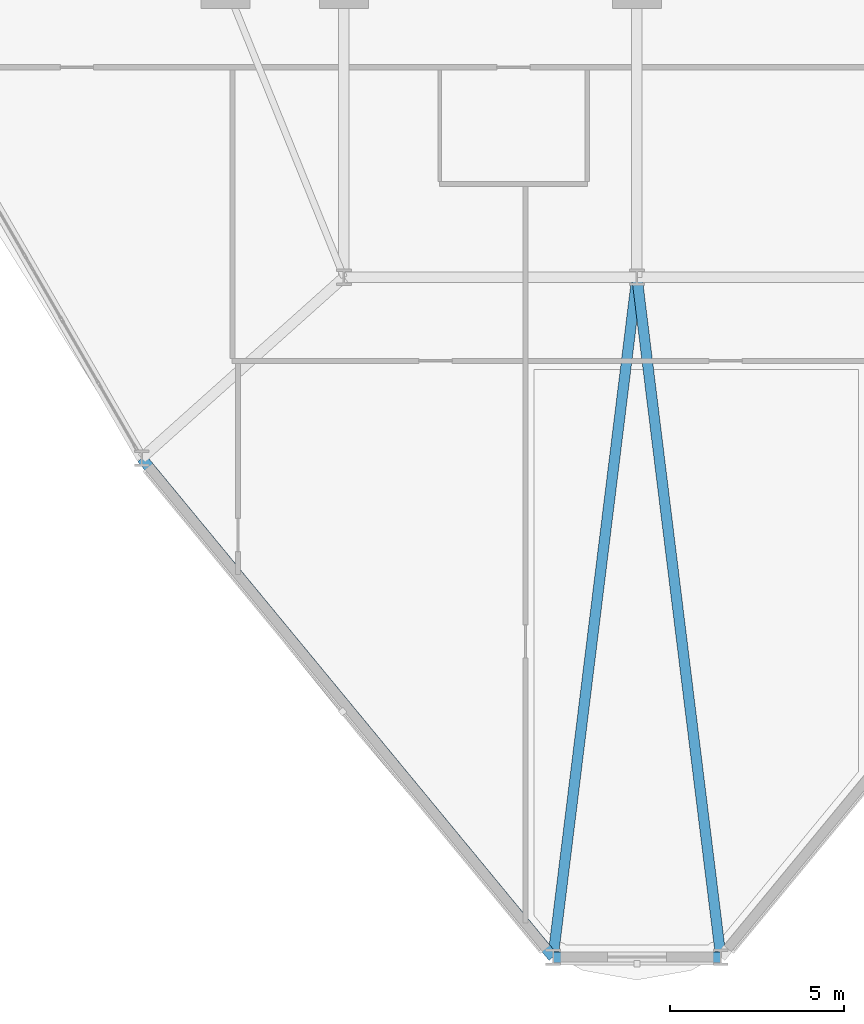
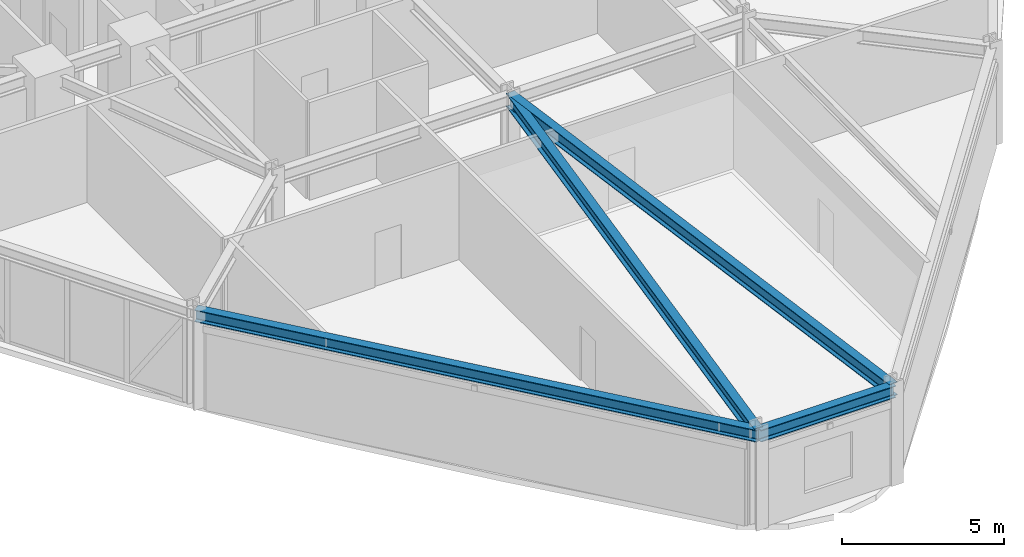
# One storey, part 3 of 22: 4 beams.
"""IFC4 building model written with IfcOpenShell, lengths in metres."""

from ifc_helpers import new_model, si_unit, derived_unit, direction, frame, origin, origin_2d, place, context, subcontext, project, spatial, i_section, extrude, source, transform, mapped, material, material_profile, profile_set, type_object, element, save


model = new_model("IFC4")

# Units and contexts
model_context = context("Model", 3, precision=1e-05, world=origin(), true_north=direction((0.0, 1.0)))
body_context = subcontext(model_context, "Body", "Model", "MODEL_VIEW")
ifc_project = project(units=[si_unit("LENGTHUNIT", "METRE"), si_unit("AREAUNIT", "SQUARE_METRE"), si_unit("VOLUMEUNIT", "CUBIC_METRE"), si_unit("PLANEANGLEUNIT", "RADIAN"), si_unit("MASSUNIT", "GRAM", prefix="KILO"), derived_unit("THERMALTRANSMITTANCEUNIT", [(si_unit("POWERUNIT", "WATT"), 1), (si_unit("LENGTHUNIT", "METRE"), -2), (si_unit("THERMODYNAMICTEMPERATUREUNIT", "KELVIN"), -1)])], contexts=[model_context])

# Site, building, storey
site_placement = place(None, origin())
site = spatial("IfcSite", under=ifc_project, at=site_placement, CompositionType="ELEMENT")
building_placement = place(site_placement, origin())
building = spatial("IfcBuilding", under=site, at=building_placement, Name="Korsvarv Bourse and Concert Hall", CompositionType="ELEMENT")
storey_placement = place(building_placement, frame((0.0, 0.0, 47.39990234375)))
storey = spatial("IfcBuildingStorey", under=building, at=storey_placement, Name="L11", CompositionType="ELEMENT", Elevation=47.39990234375)

# Beams
ifc_material = material(Name="Steel S355", Category="steel")
ifc_material_profile_1 = material_profile(ifc_material, i_section(OverallWidth=0.300048828125, OverallDepth=0.449951171875, WebThickness=0.013916015625, FlangeThickness=0.02587890625, FilletRadius=0.02099609375, at=origin_2d()), Name="HEB 450")
ifc_profile_set_1 = profile_set([ifc_material_profile_1], Name="Steel S355")
beam_type_1 = type_object("IfcBeamType", Name="BM-HEB450", PredefinedType="SPANDREL", material=ifc_profile_set_1)
shared_shape_1 = source(origin(), body_context, "Body", "SweptSolid", [
    extrude(i_section(OverallWidth=0.300048828125, OverallDepth=0.449951171875, WebThickness=0.013916015625, FlangeThickness=0.02587890625, FilletRadius=0.02099609375, at=origin_2d()), origin(), (0.0, 0.0, 1.0), 18.5390625),
])
beam_1_placement = place(storey_placement, frame((21.801513671875, 18.8134765625, 3.455078125), z_axis=(0.636127669923, -0.771583817585, 0.0), x_axis=(0.771583817585, 0.636127669923, 0.0)))
element("IfcBeam", 1, at=beam_1_placement, inside=storey, type_object=beam_type_1, Name="L11 beam B-08", PredefinedType="SPANDREL", context=body_context, shape_type="MappedRepresentation", body=[
    mapped(shared_shape_1, transform((0.0, 0.0, 0.0), scale=1.0)),
])
shared_shape_2 = source(origin(), body_context, "Body", "SweptSolid", [
    extrude(i_section(OverallWidth=0.300048828125, OverallDepth=0.449951171875, WebThickness=0.013916015625, FlangeThickness=0.02587890625, FilletRadius=0.02099609375, at=origin_2d()), origin(), (0.0, 0.0, 1.0), 4.810546875),
])
beam_2_placement = place(storey_placement, frame((33.5947265625, 4.509033203125, 3.455078125), z_axis=(1.0, 0.0, 0.0), x_axis=(0.0, 1.0, 0.0)))
element("IfcBeam", 2, at=beam_2_placement, inside=storey, type_object=beam_type_1, Name="L11 beam B-08", PredefinedType="SPANDREL", context=body_context, shape_type="MappedRepresentation", body=[
    mapped(shared_shape_2, transform((0.0, 0.0, 0.0), scale=1.0)),
])
ifc_material_profile_2 = material_profile(ifc_material, i_section(OverallWidth=0.300048828125, OverallDepth=0.5, WebThickness=0.014404296875, FlangeThickness=0.028076171875, FilletRadius=0.02392578125, at=origin_2d()), Name="HEB 500")
ifc_profile_set_2 = profile_set([ifc_material_profile_2], Name="Steel S355")
beam_type_2 = type_object("IfcBeamType", Name="BM-HEB500", PredefinedType="BEAM", material=ifc_profile_set_2)
shared_shape_3 = source(origin(), body_context, "Body", "SweptSolid", [
    extrude(i_section(OverallWidth=0.300048828125, OverallDepth=0.5, WebThickness=0.014404296875, FlangeThickness=0.028076171875, FilletRadius=0.02392578125, at=origin_2d()), origin(), (0.0, 0.0, 1.0), 19.638916015625),
])
for number, where, z_axis, x_axis, name in (
    (3, (33.5947265625, 4.509033203125, 3.43017578125), (0.122475475827, 0.992471540056, 0.0), (-0.992471540056, 0.122475475827, 0.0), "L11 beam B-07"),
    (4, (38.4052734375, 4.509033203125, 3.43017578125), (-0.122475475827, 0.992471540056, 0.0), (-0.992471540056, -0.122475475827, 0.0), "L11 beam B-07"),
):
    element("IfcBeam", number, at=place(storey_placement, frame(where, z_axis=z_axis, x_axis=x_axis)), inside=storey, type_object=beam_type_2, Name=name, PredefinedType="BEAM", context=body_context, shape_type="MappedRepresentation", body=[
        mapped(shared_shape_3, transform((0.0, 0.0, 0.0), scale=1.0)),
    ])

save(model, "model.ifc")
